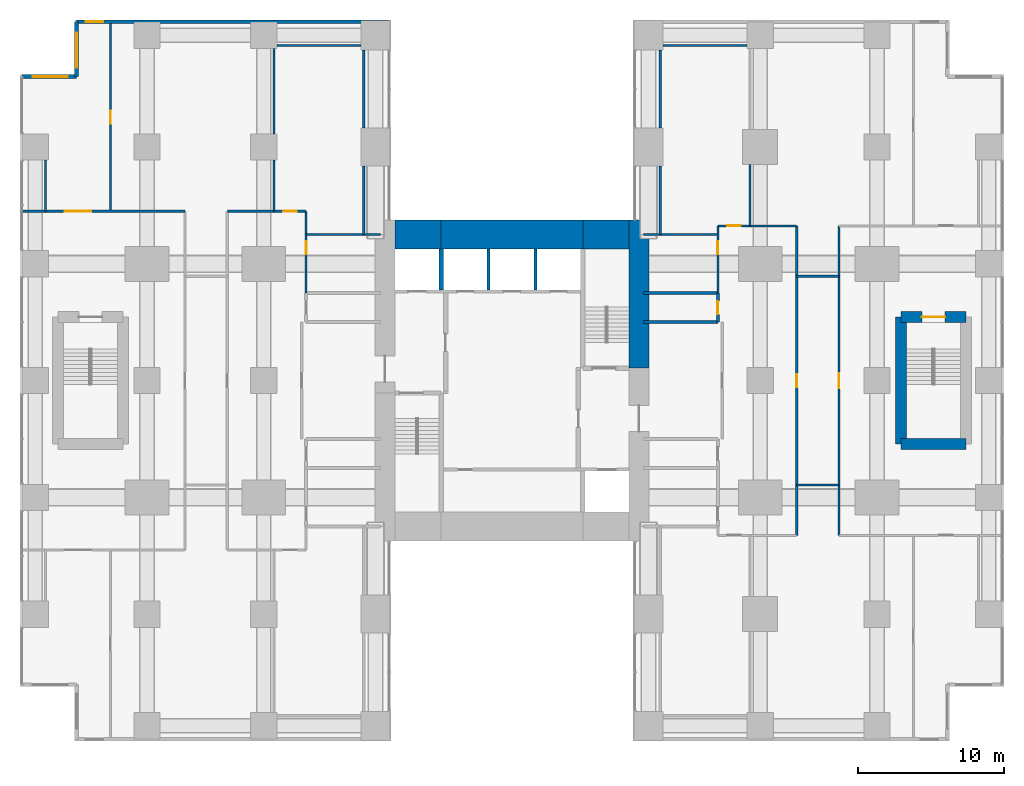
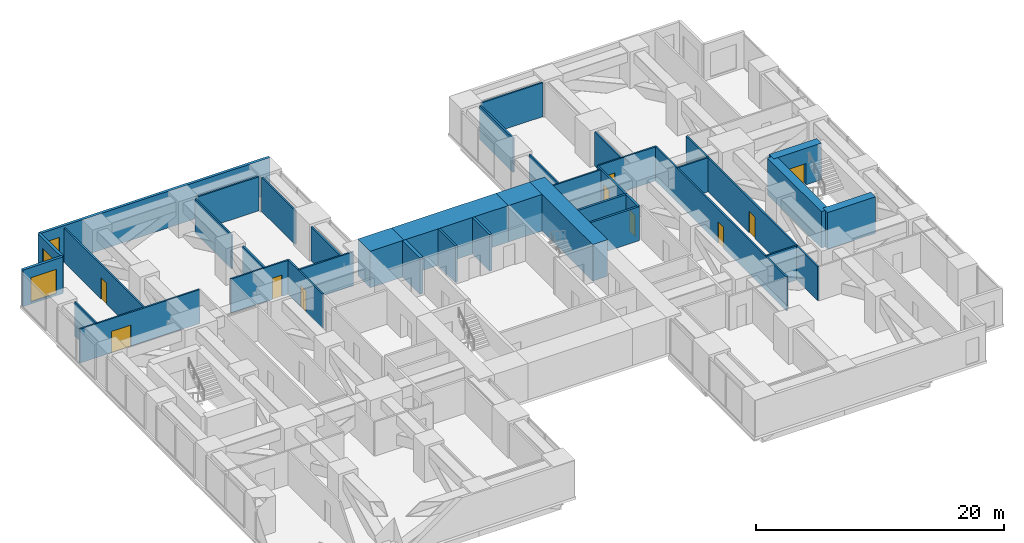
# One storey, part 12 of 14: 38 walls, 10 doors, 3 windows, 13 openings.
"""IFC4 building model written with IfcOpenShell, lengths in metres."""

from ifc_helpers import new_model, si_unit, direction, frame, frame_2d, origin, place, context, subcontext, project, spatial, rectangle, extrude, material, layer, layer_set, type_object, element, fill, save


model = new_model("IFC4")

# Units and contexts
model_context = context("Model", 3, precision=1e-05, world=origin(), true_north=direction((0.0, 1.0)))
body_context = subcontext(model_context, "Body", "Model", "MODEL_VIEW")
ifc_project = project(units=[si_unit("LENGTHUNIT", "METRE"), si_unit("AREAUNIT", "SQUARE_METRE"), si_unit("VOLUMEUNIT", "CUBIC_METRE"), si_unit("PLANEANGLEUNIT", "RADIAN"), si_unit("MASSUNIT", "GRAM", prefix="KILO")], contexts=[model_context])

# Site, building, storey
site_placement = place(None, origin())
site = spatial("IfcSite", under=ifc_project, at=site_placement, CompositionType="ELEMENT")
building_placement = place(site_placement, origin())
building = spatial("IfcBuilding", under=site, at=building_placement, Name="Cleftline Residences", CompositionType="ELEMENT")
storey_placement = place(building_placement, frame((0.0, 0.0, 200.199951171875)))
storey = spatial("IfcBuildingStorey", under=building, at=storey_placement, Name="L52", CompositionType="ELEMENT", Elevation=200.199951171875)

# Walls
ifc_material_1 = material(Name="Concrete B70", Category="concrete")
ifc_layer_1 = layer(ifc_material_1, 1.39990234375)
ifc_layer_set_1 = layer_set([ifc_layer_1], Name="CORE WALL 1400")
wall_type_1 = type_object("IfcWallType", Name="CORE WALL 1400", PredefinedType="SHEAR", material=ifc_layer_set_1)
wall_1_placement = place(storey_placement, frame((41.699951171875, 24.85009765625, 0.0), z_axis=(0.0, 0.0, 1.0), x_axis=(0.0, 1.0, 0.0)))
element("IfcWall", 1, at=wall_1_placement, inside=storey, type_object=wall_type_1, Name="Core wall E1", PredefinedType="SHEAR", context=body_context, shape_type="SweptSolid", body=[
    extrude(rectangle(XDim=10.14990234375, YDim=1.39990234375, at=frame_2d((5.074951171875, 0.0))), origin(), (0.0, 0.0, 1.0), 3.60009765625),
])
ifc_material_2 = material(Name="Concrete B70", Category="concrete")
ifc_layer_2 = layer(ifc_material_2, 2.0)
ifc_layer_set_2 = layer_set([ifc_layer_2], Name="CORE WALL 2000")
wall_type_2 = type_object("IfcWallType", Name="CORE WALL 2000", PredefinedType="SHEAR", material=ifc_layer_set_2)
wall_2_placement = place(storey_placement, frame((25.0, 34.0, 0.0), z_axis=(0.0, 0.0, 1.0), x_axis=(1.0, 0.0, 0.0)))
element("IfcWall", 2, at=wall_2_placement, inside=storey, type_object=wall_type_2, Name="Core wall N1", PredefinedType="SHEAR", context=body_context, shape_type="SweptSolid", body=[
    extrude(rectangle(XDim=3.14990234375, YDim=2.0, at=frame_2d((1.574951171875, 0.0))), origin(), (0.0, 0.0, 1.0), 3.60009765625),
])
wall_3_placement = place(storey_placement, frame((28.14990234375, 34.0, 0.0), z_axis=(0.0, 0.0, 1.0), x_axis=(1.0, 0.0, 0.0)))
element("IfcWall", 3, at=wall_3_placement, inside=storey, type_object=wall_type_2, Name="Core wall N2", PredefinedType="SHEAR", context=body_context, shape_type="SweptSolid", body=[
    extrude(rectangle(XDim=9.7001953125, YDim=2.0, at=frame_2d((4.85009765625, 0.0))), origin(), (0.0, 0.0, 1.0), 3.60009765625),
])
wall_4_placement = place(storey_placement, frame((37.85009765625, 34.0, 0.0), z_axis=(0.0, 0.0, 1.0), x_axis=(1.0, 0.0, 0.0)))
element("IfcWall", 4, at=wall_4_placement, inside=storey, type_object=wall_type_2, Name="Core wall N3", PredefinedType="SHEAR", context=body_context, shape_type="SweptSolid", body=[
    extrude(rectangle(XDim=3.14990234375, YDim=2.0, at=frame_2d((1.574951171875, 0.0))), origin(), (0.0, 0.0, 1.0), 3.60009765625),
])
ifc_material_3 = material(Name="Concrete B70", Category="concrete")
ifc_layer_3 = layer(ifc_material_3, 0.300048828125)
ifc_layer_set_3 = layer_set([ifc_layer_3], Name="CORE WALL 300")
wall_type_3 = type_object("IfcWallType", Name="CORE WALL 300", PredefinedType="SHEAR", material=ifc_layer_set_3)
wall_5_placement = place(storey_placement, frame((28.14990234375, 30.199951171875, 0.0), z_axis=(0.0, 0.0, 1.0), x_axis=(0.0, 1.0, 0.0)))
element("IfcWall", 5, at=wall_5_placement, inside=storey, type_object=wall_type_3, Name="Lift shaft wall", PredefinedType="SHEAR", context=body_context, shape_type="SweptSolid", body=[
    extrude(rectangle(XDim=2.800048828125, YDim=0.300048828125, at=frame_2d((1.39990234375, 0.0))), origin(), (0.0, 0.0, 1.0), 3.60009765625),
])

# Wall, opening, window
ifc_material_4 = material(Name="Rendered reinforced concrete blockwork", Category="masonry")
ifc_layer_4 = layer(ifc_material_4, 0.25)
ifc_layer_set_4 = layer_set([ifc_layer_4], Name="EXTERNAL WALL 250")
wall_type_4 = type_object("IfcWallType", Name="EXTERNAL WALL 250", PredefinedType="SOLIDWALL", material=ifc_layer_set_4)
wall_6_placement = place(storey_placement, frame((24.574951171875, 48.574951171875, 0.0), z_axis=(0.0, 0.0, 1.0), x_axis=(-1.0, 0.0, 0.0)))
wall_6 = element("IfcWall", 6, at=wall_6_placement, inside=storey, type_object=wall_type_4, Name="External wall", PredefinedType="SOLIDWALL", context=body_context, shape_type="SweptSolid", body=[
    extrude(rectangle(XDim=21.39990234375, YDim=0.25, at=frame_2d((10.699951171875, 0.0))), origin(), (0.0, 0.0, 1.0), 3.60009765625),
])
opening_1_placement = place(wall_6_placement, frame((19.574951171875, 0.0, 0.199951171875)))
opening_1 = element("IfcOpeningElement", 7, at=opening_1_placement, cuts=wall_6, Name="Opening W13", PredefinedType="OPENING", context=body_context, shape_type="SweptSolid", body=[
    extrude(rectangle(XDim=1.199951171875, YDim=2.39990234375, at=frame_2d((0.60009765625, 1.199951171875))), frame((0.0, 0.135009765625, 0.0), z_axis=(0.0, -1.0, 0.0), x_axis=(1.0, 0.0, 0.0)), (0.0, 0.0, 1.0), 0.27001953125),
])
ifc_material_5 = material(Name="Aluminium frame, clear double glazing", Category="aluminium")
window_type_1 = type_object("IfcWindowType", Name="WINDOW 1200X2400", PartitioningType="DOUBLE_PANEL_VERTICAL", PredefinedType="WINDOW", material=ifc_material_5)
window_1_placement = place(opening_1_placement, origin())
window_1 = element("IfcWindow", 8, at=window_1_placement, inside=storey, type_object=window_type_1, Name="Window", OverallHeight=2.39990234375, OverallWidth=1.199951171875, PartitioningType="SINGLE_PANEL", PredefinedType="WINDOW", context=body_context, shape_type="SweptSolid", body=[
    extrude(rectangle(XDim=1.199951171875, YDim=2.39990234375, at=frame_2d((0.60009765625, 1.199951171875))), frame((0.0, 0.030029296875, 0.0), z_axis=(0.0, -1.0, 0.0), x_axis=(1.0, 0.0, 0.0)), (0.0, 0.0, 1.0), 0.06005859375),
])
fill(opening_1, window_1)

wall_7_placement = place(storey_placement, frame((3.175048828125, 48.574951171875, 0.0), z_axis=(0.0, 0.0, 1.0), x_axis=(0.0, -1.0, 0.0)))
wall_7 = element("IfcWall", 9, at=wall_7_placement, inside=storey, type_object=wall_type_4, Name="External wall", PredefinedType="SOLIDWALL", context=body_context, shape_type="SweptSolid", body=[
    extrude(rectangle(XDim=3.75, YDim=0.25, at=frame_2d((1.875, 0.0))), origin(), (0.0, 0.0, 1.0), 3.60009765625),
])
opening_2_placement = place(wall_7_placement, frame((0.737548828125, 0.0, 0.199951171875)))
opening_2 = element("IfcOpeningElement", 10, at=opening_2_placement, cuts=wall_7, Name="Opening W9", PredefinedType="OPENING", context=body_context, shape_type="SweptSolid", body=[
    extrude(rectangle(XDim=2.39990234375, YDim=2.39990234375, at=frame_2d((1.199951171875, 1.199951171875))), frame((0.0, 0.135009765625, 0.0), z_axis=(0.0, -1.0, 0.0), x_axis=(1.0, 0.0, 0.0)), (0.0, 0.0, 1.0), 0.27001953125),
])
ifc_material_6 = material(Name="Aluminium frame, clear double glazing", Category="aluminium")
window_type_2 = type_object("IfcWindowType", Name="WINDOW 2400X2400", PartitioningType="DOUBLE_PANEL_VERTICAL", PredefinedType="WINDOW", material=ifc_material_6)
window_2_placement = place(opening_2_placement, origin())
window_2 = element("IfcWindow", 11, at=window_2_placement, inside=storey, type_object=window_type_2, Name="Window", OverallHeight=2.39990234375, OverallWidth=2.39990234375, PartitioningType="SINGLE_PANEL", PredefinedType="WINDOW", context=body_context, shape_type="SweptSolid", body=[
    extrude(rectangle(XDim=2.39990234375, YDim=2.39990234375, at=frame_2d((1.199951171875, 1.199951171875))), frame((0.0, 0.030029296875, 0.0), z_axis=(0.0, -1.0, 0.0), x_axis=(1.0, 0.0, 0.0)), (0.0, 0.0, 1.0), 0.06005859375),
])
fill(opening_2, window_2)

wall_8_placement = place(storey_placement, frame((3.175048828125, 44.824951171875, 0.0), z_axis=(0.0, 0.0, 1.0), x_axis=(-1.0, 0.0, 0.0)))
wall_8 = element("IfcWall", 12, at=wall_8_placement, inside=storey, type_object=wall_type_4, Name="External wall", PredefinedType="SOLIDWALL", context=body_context, shape_type="SweptSolid", body=[
    extrude(rectangle(XDim=3.75, YDim=0.25, at=frame_2d((1.875, 0.0))), origin(), (0.0, 0.0, 1.0), 3.60009765625),
])
opening_3_placement = place(wall_8_placement, frame((0.612548828125, 0.0, 0.199951171875)))
opening_3 = element("IfcOpeningElement", 13, at=opening_3_placement, cuts=wall_8, Name="Opening W9", PredefinedType="OPENING", context=body_context, shape_type="SweptSolid", body=[
    extrude(rectangle(XDim=2.39990234375, YDim=2.39990234375, at=frame_2d((1.199951171875, 1.199951171875))), frame((0.0, 0.135009765625, 0.0), z_axis=(0.0, -1.0, 0.0), x_axis=(1.0, 0.0, 0.0)), (0.0, 0.0, 1.0), 0.27001953125),
])
window_3_placement = place(opening_3_placement, origin())
window_3 = element("IfcWindow", 14, at=window_3_placement, inside=storey, type_object=window_type_2, Name="Window", OverallHeight=2.39990234375, OverallWidth=2.39990234375, PartitioningType="SINGLE_PANEL", PredefinedType="WINDOW", context=body_context, shape_type="SweptSolid", body=[
    extrude(rectangle(XDim=2.39990234375, YDim=2.39990234375, at=frame_2d((1.199951171875, 1.199951171875))), frame((0.0, 0.030029296875, 0.0), z_axis=(0.0, -1.0, 0.0), x_axis=(1.0, 0.0, 0.0)), (0.0, 0.0, 1.0), 0.06005859375),
])
fill(opening_3, window_3)

# Walls
ifc_material_7 = material(Name="Concrete blockwork, fire rated", Category="masonry")
ifc_layer_5 = layer(ifc_material_7, 0.199951171875)
ifc_layer_set_5 = layer_set([ifc_layer_5], Name="FIRE WALL 200")
wall_type_5 = type_object("IfcWallType", Name="FIRE WALL 200", PredefinedType="PARTITIONING", material=ifc_layer_set_5)
for number, where, z_axis, x_axis, name in (
    (15, (42.0, 28.0, 0.0), (0.0, 0.0, 1.0), (1.0, 0.0, 0.0), "Fire separating wall"),
    (16, (42.0, 30.0, 0.0), (0.0, 0.0, 1.0), (1.0, 0.0, 0.0), "Fire separating wall"),
):
    element("IfcWall", number, at=place(storey_placement, frame(where, z_axis=z_axis, x_axis=x_axis)), inside=storey, type_object=wall_type_5, Name=name, PredefinedType="PARTITIONING", context=body_context, shape_type="SweptSolid", body=[
        extrude(rectangle(XDim=5.10009765625, YDim=0.199951171875, at=frame_2d((2.550048828125, 0.0))), origin(), (0.0, 0.0, 1.0), 3.35009765625),
    ])

# Wall, opening, door
wall_9_placement = place(storey_placement, frame((47.10009765625, 28.0, 0.0), z_axis=(0.0, 0.0, 1.0), x_axis=(0.0, 1.0, 0.0)))
wall_9 = element("IfcWall", 17, at=wall_9_placement, inside=storey, type_object=wall_type_5, Name="Fire separating wall", PredefinedType="PARTITIONING", context=body_context, shape_type="SweptSolid", body=[
    extrude(rectangle(XDim=2.0, YDim=0.199951171875, at=frame_2d((1.0, 0.0))), origin(), (0.0, 0.0, 1.0), 3.35009765625),
])
opening_4_placement = place(wall_9_placement, frame((0.5400390625, 0.0, 0.0)))
opening_4 = element("IfcOpeningElement", 18, at=opening_4_placement, cuts=wall_9, Name="Opening D1F30", PredefinedType="OPENING", context=body_context, shape_type="SweptSolid", body=[
    extrude(rectangle(XDim=0.89990234375, YDim=2.10009765625, at=frame_2d((0.449951171875, 1.050048828125))), frame((0.0, 0.10986328125, 0.0), z_axis=(0.0, -1.0, 0.0), x_axis=(1.0, 0.0, 0.0)), (0.0, 0.0, 1.0), 0.219970703125),
])
ifc_material_8 = material(Name="Timber veneer on solid core", Category="wood")
door_type_1 = type_object("IfcDoorType", Name="DOOR 900X2100 EI 30", OperationType="SINGLE_SWING_LEFT", PredefinedType="DOOR", material=ifc_material_8)
door_1_placement = place(opening_4_placement, origin())
door_1 = element("IfcDoor", 19, at=door_1_placement, inside=storey, type_object=door_type_1, Name="Door to accessible wc", OperationType="SINGLE_SWING_RIGHT", OverallHeight=2.10009765625, OverallWidth=0.89990234375, PredefinedType="DOOR", context=body_context, shape_type="SweptSolid", body=[
    extrude(rectangle(XDim=0.89990234375, YDim=2.10009765625, at=frame_2d((0.449951171875, 1.050048828125))), frame((0.0, 0.02490234375, 0.0), z_axis=(0.0, -1.0, 0.0), x_axis=(1.0, 0.0, 0.0)), (0.0, 0.0, 1.0), 0.050048828125),
])
fill(opening_4, door_1)

# Walls
ifc_material_9 = material(Name="Gypsum board on steel studs", Category="steel")
ifc_layer_6 = layer(ifc_material_9, 0.14990234375)
ifc_layer_set_6 = layer_set([ifc_layer_6], Name="PARTITION 150")
wall_type_6 = type_object("IfcWallType", Name="PARTITION 150", PredefinedType="PARTITIONING", material=ifc_layer_set_6)
for number, where, z_axis, x_axis, name in (
    (20, (52.5, 16.85009765625, 0.0), (0.0, 0.0, 1.0), (1.0, 0.0, 0.0), "Partition"),
    (21, (52.5, 31.14990234375, 0.0), (0.0, 0.0, 1.0), (1.0, 0.0, 0.0), "Partition"),
):
    element("IfcWall", number, at=place(storey_placement, frame(where, z_axis=z_axis, x_axis=x_axis)), inside=storey, type_object=wall_type_6, Name=name, PredefinedType="PARTITIONING", context=body_context, shape_type="SweptSolid", body=[
        extrude(rectangle(XDim=2.89990234375, YDim=0.14990234375, at=frame_2d((1.449951171875, 0.0))), origin(), (0.0, 0.0, 1.0), 3.35009765625),
    ])
for number, where, z_axis, x_axis, name in (
    (22, (18.89990234375, 34.0, 0.0), (0.0, 0.0, 1.0), (1.0, 0.0, 0.0), "Partition"),
    (23, (42.0, 34.0, 0.0), (0.0, 0.0, 1.0), (1.0, 0.0, 0.0), "Partition"),
):
    element("IfcWall", number, at=place(storey_placement, frame(where, z_axis=z_axis, x_axis=x_axis)), inside=storey, type_object=wall_type_6, Name=name, PredefinedType="PARTITIONING", context=body_context, shape_type="SweptSolid", body=[
        extrude(rectangle(XDim=5.10009765625, YDim=0.14990234375, at=frame_2d((2.550048828125, 0.0))), origin(), (0.0, 0.0, 1.0), 3.35009765625),
    ])

# Wall, opening, door
wall_10_placement = place(storey_placement, frame((47.10009765625, 34.60009765625, 0.0), z_axis=(0.0, 0.0, 1.0), x_axis=(1.0, 0.0, 0.0)))
wall_10 = element("IfcWall", 24, at=wall_10_placement, inside=storey, type_object=wall_type_6, Name="Partition", PredefinedType="PARTITIONING", context=body_context, shape_type="SweptSolid", body=[
    extrude(rectangle(XDim=5.39990234375, YDim=0.14990234375, at=frame_2d((2.699951171875, 0.0))), origin(), (0.0, 0.0, 1.0), 3.35009765625),
])
opening_5_placement = place(wall_10_placement, frame((0.659912109375, 0.0, 0.0)))
opening_5 = element("IfcOpeningElement", 25, at=opening_5_placement, cuts=wall_10, Name="Opening D1", PredefinedType="OPENING", context=body_context, shape_type="SweptSolid", body=[
    extrude(rectangle(XDim=0.89990234375, YDim=2.10009765625, at=frame_2d((0.449951171875, 1.050048828125))), frame((0.0, 0.0849609375, 0.0), z_axis=(0.0, -1.0, 0.0), x_axis=(1.0, 0.0, 0.0)), (0.0, 0.0, 1.0), 0.169921875),
])
ifc_material_10 = material(Name="Timber veneer on solid core", Category="wood")
door_type_2 = type_object("IfcDoorType", Name="DOOR 900X2100", OperationType="SINGLE_SWING_LEFT", PredefinedType="DOOR", material=ifc_material_10)
door_2_placement = place(opening_5_placement, origin())
door_2 = element("IfcDoor", 26, at=door_2_placement, inside=storey, type_object=door_type_2, Name="Door to rehearsal room", OperationType="SINGLE_SWING_RIGHT", OverallHeight=2.10009765625, OverallWidth=0.89990234375, PredefinedType="DOOR", context=body_context, shape_type="SweptSolid", body=[
    extrude(rectangle(XDim=0.89990234375, YDim=2.10009765625, at=frame_2d((0.449951171875, 1.050048828125))), frame((0.0, 0.02490234375, 0.0), z_axis=(0.0, -1.0, 0.0), x_axis=(1.0, 0.0, 0.0)), (0.0, 0.0, 1.0), 0.050048828125),
])
fill(opening_5, door_2)

wall_11_placement = place(storey_placement, frame((-0.56103515625, 35.60009765625, 0.0), z_axis=(0.0, 0.0, 1.0), x_axis=(1.0, 0.0, 0.0)))
wall_11 = element("IfcWall", 27, at=wall_11_placement, inside=storey, type_object=wall_type_6, Name="Partition", PredefinedType="PARTITIONING", context=body_context, shape_type="SweptSolid", body=[
    extrude(rectangle(XDim=11.1611328125, YDim=0.14990234375, at=frame_2d((5.58056640625, 0.0))), origin(), (0.0, 0.0, 1.0), 3.35009765625),
])
opening_6_placement = place(wall_11_placement, frame((2.930908203125, 0.0, 0.0)))
opening_6 = element("IfcOpeningElement", 28, at=opening_6_placement, cuts=wall_11, Name="Opening D3", PredefinedType="OPENING", context=body_context, shape_type="SweptSolid", body=[
    extrude(rectangle(XDim=1.800048828125, YDim=2.10009765625, at=frame_2d((0.89990234375, 1.050048828125))), frame((0.0, 0.0849609375, 0.0), z_axis=(0.0, -1.0, 0.0), x_axis=(1.0, 0.0, 0.0)), (0.0, 0.0, 1.0), 0.169921875),
])
ifc_material_11 = material(Name="Timber veneer on solid core", Category="wood")
door_type_3 = type_object("IfcDoorType", Name="DOUBLE DOOR 1800X2100", OperationType="DOUBLE_DOOR_DOUBLE_SWING", PredefinedType="DOOR", material=ifc_material_11)
door_3_placement = place(opening_6_placement, origin())
door_3 = element("IfcDoor", 29, at=door_3_placement, inside=storey, type_object=door_type_3, Name="Door to sky fitness studio", OperationType="DOUBLE_DOOR_DOUBLE_SWING", OverallHeight=2.10009765625, OverallWidth=1.800048828125, PredefinedType="DOOR", context=body_context, shape_type="SweptSolid", body=[
    extrude(rectangle(XDim=1.800048828125, YDim=2.10009765625, at=frame_2d((0.89990234375, 1.050048828125))), frame((0.0, 0.02490234375, 0.0), z_axis=(0.0, -1.0, 0.0), x_axis=(1.0, 0.0, 0.0)), (0.0, 0.0, 1.0), 0.050048828125),
])
fill(opening_6, door_3)

wall_12_placement = place(storey_placement, frame((13.5, 35.60009765625, 0.0), z_axis=(0.0, 0.0, 1.0), x_axis=(1.0, 0.0, 0.0)))
wall_12 = element("IfcWall", 30, at=wall_12_placement, inside=storey, type_object=wall_type_6, Name="Partition", PredefinedType="PARTITIONING", context=body_context, shape_type="SweptSolid", body=[
    extrude(rectangle(XDim=5.39990234375, YDim=0.14990234375, at=frame_2d((2.699951171875, 0.0))), origin(), (0.0, 0.0, 1.0), 3.35009765625),
])
opening_7_placement = place(wall_12_placement, frame((3.840087890625, 0.0, 0.0)))
opening_7 = element("IfcOpeningElement", 31, at=opening_7_placement, cuts=wall_12, Name="Opening D1", PredefinedType="OPENING", context=body_context, shape_type="SweptSolid", body=[
    extrude(rectangle(XDim=0.89990234375, YDim=2.10009765625, at=frame_2d((0.449951171875, 1.050048828125))), frame((0.0, 0.0849609375, 0.0), z_axis=(0.0, -1.0, 0.0), x_axis=(1.0, 0.0, 0.0)), (0.0, 0.0, 1.0), 0.169921875),
])
door_4_placement = place(opening_7_placement, origin())
door_4 = element("IfcDoor", 32, at=door_4_placement, inside=storey, type_object=door_type_2, Name="Door to massage room", OperationType="SINGLE_SWING_LEFT", OverallHeight=2.10009765625, OverallWidth=0.89990234375, PredefinedType="DOOR", context=body_context, shape_type="SweptSolid", body=[
    extrude(rectangle(XDim=0.89990234375, YDim=2.10009765625, at=frame_2d((0.449951171875, 1.050048828125))), frame((0.0, 0.02490234375, 0.0), z_axis=(0.0, -1.0, 0.0), x_axis=(1.0, 0.0, 0.0)), (0.0, 0.0, 1.0), 0.050048828125),
])
fill(opening_7, door_4)

# Walls
for number, where, z_axis, x_axis, name in (
    (33, (16.89990234375, 46.949951171875, 0.0), (0.0, 0.0, 1.0), (1.0, 0.0, 0.0), "Partition"),
    (34, (43.35009765625, 46.949951171875, 0.0), (0.0, 0.0, 1.0), (1.0, 0.0, 0.0), "Partition"),
):
    element("IfcWall", number, at=place(storey_placement, frame(where, z_axis=z_axis, x_axis=x_axis)), inside=storey, type_object=wall_type_6, Name=name, PredefinedType="PARTITIONING", context=body_context, shape_type="SweptSolid", body=[
        extrude(rectangle(XDim=5.75, YDim=0.14990234375, at=frame_2d((2.875, 0.0))), origin(), (0.0, 0.0, 1.0), 3.35009765625),
    ])
wall_13_placement = place(storey_placement, frame((1.050048828125, 35.60009765625, 0.0), z_axis=(0.0, 0.0, 1.0), x_axis=(0.0, 1.0, 0.0)))
element("IfcWall", 35, at=wall_13_placement, inside=storey, type_object=wall_type_6, Name="Partition", PredefinedType="PARTITIONING", context=body_context, shape_type="SweptSolid", body=[
    extrude(rectangle(XDim=3.5, YDim=0.14990234375, at=frame_2d((1.75, 0.0))), origin(), (0.0, 0.0, 1.0), 3.35009765625),
])

# Wall, opening, door
wall_14_placement = place(storey_placement, frame((5.5, 35.60009765625, 0.0), z_axis=(0.0, 0.0, 1.0), x_axis=(0.0, 1.0, 0.0)))
wall_14 = element("IfcWall", 36, at=wall_14_placement, inside=storey, type_object=wall_type_6, Name="Partition", PredefinedType="PARTITIONING", context=body_context, shape_type="SweptSolid", body=[
    extrude(rectangle(XDim=12.849853515625, YDim=0.14990234375, at=frame_2d((6.4248046875, 0.0))), origin(), (0.0, 0.0, 1.0), 3.35009765625),
])
opening_8_placement = place(wall_14_placement, frame((5.97998046875, 0.0, 0.0)))
opening_8 = element("IfcOpeningElement", 37, at=opening_8_placement, cuts=wall_14, Name="Opening D1", PredefinedType="OPENING", context=body_context, shape_type="SweptSolid", body=[
    extrude(rectangle(XDim=0.89990234375, YDim=2.10009765625, at=frame_2d((0.449951171875, 1.050048828125))), frame((0.0, 0.0849609375, 0.0), z_axis=(0.0, -1.0, 0.0), x_axis=(1.0, 0.0, 0.0)), (0.0, 0.0, 1.0), 0.169921875),
])
door_5_placement = place(opening_8_placement, origin())
door_5 = element("IfcDoor", 38, at=door_5_placement, inside=storey, type_object=door_type_2, Name="Door to changing room", OperationType="SINGLE_SWING_LEFT", OverallHeight=2.10009765625, OverallWidth=0.89990234375, PredefinedType="DOOR", context=body_context, shape_type="SweptSolid", body=[
    extrude(rectangle(XDim=0.89990234375, YDim=2.10009765625, at=frame_2d((0.449951171875, 1.050048828125))), frame((0.0, 0.02490234375, 0.0), z_axis=(0.0, -1.0, 0.0), x_axis=(1.0, 0.0, 0.0)), (0.0, 0.0, 1.0), 0.050048828125),
])
fill(opening_8, door_5)

# Walls
wall_15_placement = place(storey_placement, frame((16.699951171875, 35.60009765625, 0.0), z_axis=(0.0, 0.0, 1.0), x_axis=(0.0, 1.0, 0.0)))
element("IfcWall", 39, at=wall_15_placement, inside=storey, type_object=wall_type_6, Name="Partition", PredefinedType="PARTITIONING", context=body_context, shape_type="SweptSolid", body=[
    extrude(rectangle(XDim=3.5, YDim=0.14990234375, at=frame_2d((1.75, 0.0))), origin(), (0.0, 0.0, 1.0), 3.35009765625),
])
wall_16_placement = place(storey_placement, frame((16.699951171875, 40.89990234375, 0.0), z_axis=(0.0, 0.0, 1.0), x_axis=(0.0, 1.0, 0.0)))
element("IfcWall", 40, at=wall_16_placement, inside=storey, type_object=wall_type_6, Name="Partition", PredefinedType="PARTITIONING", context=body_context, shape_type="SweptSolid", body=[
    extrude(rectangle(XDim=5.85009765625, YDim=0.14990234375, at=frame_2d((2.925048828125, 0.0))), origin(), (0.0, 0.0, 1.0), 3.35009765625),
])

# Wall, opening, door
wall_17_placement = place(storey_placement, frame((18.89990234375, 30.0, 0.0), z_axis=(0.0, 0.0, 1.0), x_axis=(0.0, 1.0, 0.0)))
wall_17 = element("IfcWall", 41, at=wall_17_placement, inside=storey, type_object=wall_type_6, Name="Partition", PredefinedType="PARTITIONING", context=body_context, shape_type="SweptSolid", body=[
    extrude(rectangle(XDim=5.60009765625, YDim=0.14990234375, at=frame_2d((2.800048828125, 0.0))), origin(), (0.0, 0.0, 1.0), 3.35009765625),
])
opening_9_placement = place(wall_17_placement, frame((2.639892578125, 0.0, 0.0)))
opening_9 = element("IfcOpeningElement", 42, at=opening_9_placement, cuts=wall_17, Name="Opening D1", PredefinedType="OPENING", context=body_context, shape_type="SweptSolid", body=[
    extrude(rectangle(XDim=0.89990234375, YDim=2.10009765625, at=frame_2d((0.449951171875, 1.050048828125))), frame((0.0, 0.0849609375, 0.0), z_axis=(0.0, -1.0, 0.0), x_axis=(1.0, 0.0, 0.0)), (0.0, 0.0, 1.0), 0.169921875),
])
door_6_placement = place(opening_9_placement, origin())
door_6 = element("IfcDoor", 43, at=door_6_placement, inside=storey, type_object=door_type_2, Name="Door to cleaner's store", OperationType="SINGLE_SWING_LEFT", OverallHeight=2.10009765625, OverallWidth=0.89990234375, PredefinedType="DOOR", context=body_context, shape_type="SweptSolid", body=[
    extrude(rectangle(XDim=0.89990234375, YDim=2.10009765625, at=frame_2d((0.449951171875, 1.050048828125))), frame((0.0, 0.02490234375, 0.0), z_axis=(0.0, -1.0, 0.0), x_axis=(1.0, 0.0, 0.0)), (0.0, 0.0, 1.0), 0.050048828125),
])
fill(opening_9, door_6)

# Walls
wall_18_placement = place(storey_placement, frame((22.85009765625, 34.0, 0.0), z_axis=(0.0, 0.0, 1.0), x_axis=(0.0, 1.0, 0.0)))
element("IfcWall", 44, at=wall_18_placement, inside=storey, type_object=wall_type_6, Name="Partition", PredefinedType="PARTITIONING", context=body_context, shape_type="SweptSolid", body=[
    extrude(rectangle(XDim=4.699951171875, YDim=0.14990234375, at=frame_2d((2.35009765625, 0.0))), origin(), (0.0, 0.0, 1.0), 3.35009765625),
])
wall_19_placement = place(storey_placement, frame((22.85009765625, 41.300048828125, 0.0), z_axis=(0.0, 0.0, 1.0), x_axis=(0.0, 1.0, 0.0)))
element("IfcWall", 45, at=wall_19_placement, inside=storey, type_object=wall_type_6, Name="Partition", PredefinedType="PARTITIONING", context=body_context, shape_type="SweptSolid", body=[
    extrude(rectangle(XDim=5.349853515625, YDim=0.14990234375, at=frame_2d((2.6748046875, 0.0))), origin(), (0.0, 0.0, 1.0), 3.35009765625),
])
wall_20_placement = place(storey_placement, frame((43.14990234375, 34.0, 0.0), z_axis=(0.0, 0.0, 1.0), x_axis=(0.0, 1.0, 0.0)))
element("IfcWall", 46, at=wall_20_placement, inside=storey, type_object=wall_type_6, Name="Partition", PredefinedType="PARTITIONING", context=body_context, shape_type="SweptSolid", body=[
    extrude(rectangle(XDim=4.699951171875, YDim=0.14990234375, at=frame_2d((2.35009765625, 0.0))), origin(), (0.0, 0.0, 1.0), 3.35009765625),
])
wall_21_placement = place(storey_placement, frame((43.14990234375, 41.300048828125, 0.0), z_axis=(0.0, 0.0, 1.0), x_axis=(0.0, 1.0, 0.0)))
element("IfcWall", 47, at=wall_21_placement, inside=storey, type_object=wall_type_6, Name="Partition", PredefinedType="PARTITIONING", context=body_context, shape_type="SweptSolid", body=[
    extrude(rectangle(XDim=5.349853515625, YDim=0.14990234375, at=frame_2d((2.6748046875, 0.0))), origin(), (0.0, 0.0, 1.0), 3.35009765625),
])

# Wall, opening, door
wall_22_placement = place(storey_placement, frame((47.10009765625, 30.0, 0.0), z_axis=(0.0, 0.0, 1.0), x_axis=(0.0, 1.0, 0.0)))
wall_22 = element("IfcWall", 48, at=wall_22_placement, inside=storey, type_object=wall_type_6, Name="Partition", PredefinedType="PARTITIONING", context=body_context, shape_type="SweptSolid", body=[
    extrude(rectangle(XDim=4.60009765625, YDim=0.14990234375, at=frame_2d((2.300048828125, 0.0))), origin(), (0.0, 0.0, 1.0), 3.35009765625),
])
opening_10_placement = place(wall_22_placement, frame((2.639892578125, 0.0, 0.0)))
opening_10 = element("IfcOpeningElement", 49, at=opening_10_placement, cuts=wall_22, Name="Opening D1", PredefinedType="OPENING", context=body_context, shape_type="SweptSolid", body=[
    extrude(rectangle(XDim=0.89990234375, YDim=2.10009765625, at=frame_2d((0.449951171875, 1.050048828125))), frame((0.0, 0.0849609375, 0.0), z_axis=(0.0, -1.0, 0.0), x_axis=(1.0, 0.0, 0.0)), (0.0, 0.0, 1.0), 0.169921875),
])
door_7_placement = place(opening_10_placement, origin())
door_7 = element("IfcDoor", 50, at=door_7_placement, inside=storey, type_object=door_type_2, Name="Door to cleaner's store", OperationType="SINGLE_SWING_LEFT", OverallHeight=2.10009765625, OverallWidth=0.89990234375, PredefinedType="DOOR", context=body_context, shape_type="SweptSolid", body=[
    extrude(rectangle(XDim=0.89990234375, YDim=2.10009765625, at=frame_2d((0.449951171875, 1.050048828125))), frame((0.0, 0.02490234375, 0.0), z_axis=(0.0, -1.0, 0.0), x_axis=(1.0, 0.0, 0.0)), (0.0, 0.0, 1.0), 0.050048828125),
])
fill(opening_10, door_7)

# Wall
wall_23_placement = place(storey_placement, frame((49.300048828125, 34.60009765625, 0.0), z_axis=(0.0, 0.0, 1.0), x_axis=(0.0, 1.0, 0.0)))
element("IfcWall", 51, at=wall_23_placement, inside=storey, type_object=wall_type_6, Name="Partition", PredefinedType="PARTITIONING", context=body_context, shape_type="SweptSolid", body=[
    extrude(rectangle(XDim=4.199951171875, YDim=0.14990234375, at=frame_2d((2.10009765625, 0.0))), origin(), (0.0, 0.0, 1.0), 3.35009765625),
])

# Wall, opening, door
wall_24_placement = place(storey_placement, frame((52.5, 13.39990234375, 0.0), z_axis=(0.0, 0.0, 1.0), x_axis=(0.0, 1.0, 0.0)))
wall_24 = element("IfcWall", 52, at=wall_24_placement, inside=storey, type_object=wall_type_6, Name="Partition", PredefinedType="PARTITIONING", context=body_context, shape_type="SweptSolid", body=[
    extrude(rectangle(XDim=21.2001953125, YDim=0.14990234375, at=frame_2d((10.60009765625, 0.0))), origin(), (0.0, 0.0, 1.0), 3.35009765625),
])
opening_11_placement = place(wall_24_placement, frame((10.14990234375, 0.0, 0.0)))
opening_11 = element("IfcOpeningElement", 53, at=opening_11_placement, cuts=wall_24, Name="Opening D1", PredefinedType="OPENING", context=body_context, shape_type="SweptSolid", body=[
    extrude(rectangle(XDim=0.89990234375, YDim=2.10009765625, at=frame_2d((0.449951171875, 1.050048828125))), frame((0.0, 0.0849609375, 0.0), z_axis=(0.0, -1.0, 0.0), x_axis=(1.0, 0.0, 0.0)), (0.0, 0.0, 1.0), 0.169921875),
])
door_8_placement = place(opening_11_placement, origin())
door_8 = element("IfcDoor", 54, at=door_8_placement, inside=storey, type_object=door_type_2, Name="Door to music lounge", OperationType="SINGLE_SWING_LEFT", OverallHeight=2.10009765625, OverallWidth=0.89990234375, PredefinedType="DOOR", context=body_context, shape_type="SweptSolid", body=[
    extrude(rectangle(XDim=0.89990234375, YDim=2.10009765625, at=frame_2d((0.449951171875, 1.050048828125))), frame((0.0, 0.02490234375, 0.0), z_axis=(0.0, -1.0, 0.0), x_axis=(1.0, 0.0, 0.0)), (0.0, 0.0, 1.0), 0.050048828125),
])
fill(opening_11, door_8)

wall_25_placement = place(storey_placement, frame((55.39990234375, 13.39990234375, 0.0), z_axis=(0.0, 0.0, 1.0), x_axis=(0.0, 1.0, 0.0)))
wall_25 = element("IfcWall", 55, at=wall_25_placement, inside=storey, type_object=wall_type_6, Name="Partition", PredefinedType="PARTITIONING", context=body_context, shape_type="SweptSolid", body=[
    extrude(rectangle(XDim=21.2001953125, YDim=0.14990234375, at=frame_2d((10.60009765625, 0.0))), origin(), (0.0, 0.0, 1.0), 3.35009765625),
])
opening_12_placement = place(wall_25_placement, frame((10.090087890625, 0.0, 0.0)))
opening_12 = element("IfcOpeningElement", 56, at=opening_12_placement, cuts=wall_25, Name="Opening D2F30", PredefinedType="OPENING", context=body_context, shape_type="SweptSolid", body=[
    extrude(rectangle(XDim=1.0, YDim=2.10009765625, at=frame_2d((0.5, 1.050048828125))), frame((0.0, 0.0849609375, 0.0), z_axis=(0.0, -1.0, 0.0), x_axis=(1.0, 0.0, 0.0)), (0.0, 0.0, 1.0), 0.169921875),
])
ifc_material_12 = material(Name="Timber veneer on solid core", Category="wood")
door_type_4 = type_object("IfcDoorType", Name="DOOR 1000X2100 EI 30", OperationType="SINGLE_SWING_LEFT", PredefinedType="DOOR", material=ifc_material_12)
door_9_placement = place(opening_12_placement, origin())
door_9 = element("IfcDoor", 57, at=door_9_placement, inside=storey, type_object=door_type_4, Name="Door to stair e lobby", OperationType="SINGLE_SWING_RIGHT", OverallHeight=2.10009765625, OverallWidth=1.0, PredefinedType="DOOR", context=body_context, shape_type="SweptSolid", body=[
    extrude(rectangle(XDim=1.0, YDim=2.10009765625, at=frame_2d((0.5, 1.050048828125))), frame((0.0, 0.02490234375, 0.0), z_axis=(0.0, -1.0, 0.0), x_axis=(1.0, 0.0, 0.0)), (0.0, 0.0, 1.0), 0.050048828125),
])
fill(opening_12, door_9)

# Walls
ifc_material_13 = material(Name="Concrete blockwork, fire rated", Category="masonry")
ifc_layer_7 = layer(ifc_material_13, 0.199951171875)
ifc_layer_set_7 = layer_set([ifc_layer_7], Name="SHAFT WALL 200")
wall_type_7 = type_object("IfcWallType", Name="SHAFT WALL 200", PredefinedType="PARTITIONING", material=ifc_layer_set_7)
for number, where, z_axis, x_axis, name in (
    (58, (31.39990234375, 30.199951171875, 0.0), (0.0, 0.0, 1.0), (0.0, 1.0, 0.0), "Lift shaft wall"),
    (59, (34.60009765625, 30.199951171875, 0.0), (0.0, 0.0, 1.0), (0.0, 1.0, 0.0), "Lift shaft wall"),
):
    element("IfcWall", number, at=place(storey_placement, frame(where, z_axis=z_axis, x_axis=x_axis)), inside=storey, type_object=wall_type_7, Name=name, PredefinedType="PARTITIONING", context=body_context, shape_type="SweptSolid", body=[
        extrude(rectangle(XDim=2.800048828125, YDim=0.199951171875, at=frame_2d((1.39990234375, 0.0))), origin(), (0.0, 0.0, 1.0), 3.60009765625),
    ])
ifc_material_14 = material(Name="Concrete B70", Category="concrete")
ifc_layer_8 = layer(ifc_material_14, 0.75)
ifc_layer_set_8 = layer_set([ifc_layer_8], Name="SHEAR WALL 750")
wall_type_8 = type_object("IfcWallType", Name="SHEAR WALL 750", PredefinedType="SHEAR", material=ifc_layer_set_8)
wall_26_placement = place(storey_placement, frame((59.64990234375, 19.64990234375, 0.0), z_axis=(0.0, 0.0, 1.0), x_axis=(1.0, 0.0, 0.0)))
element("IfcWall", 60, at=wall_26_placement, inside=storey, type_object=wall_type_8, Name="Wing shear wall", PredefinedType="SHEAR", context=body_context, shape_type="SweptSolid", body=[
    extrude(rectangle(XDim=4.4501953125, YDim=0.75, at=frame_2d((2.22509765625, 0.0))), origin(), (0.0, 0.0, 1.0), 3.60009765625),
])

# Wall, opening, door
wall_27_placement = place(storey_placement, frame((64.10009765625, 28.35009765625, 0.0), z_axis=(0.0, 0.0, 1.0), x_axis=(-1.0, 0.0, 0.0)))
wall_27 = element("IfcWall", 61, at=wall_27_placement, inside=storey, type_object=wall_type_8, Name="Wing shear wall", PredefinedType="SHEAR", context=body_context, shape_type="SweptSolid", body=[
    extrude(rectangle(XDim=4.4501953125, YDim=0.75, at=frame_2d((2.22509765625, 0.0))), origin(), (0.0, 0.0, 1.0), 3.60009765625),
])
opening_13_placement = place(wall_27_placement, frame((1.425048828125, 0.0, 0.0)))
opening_13 = element("IfcOpeningElement", 62, at=opening_13_placement, cuts=wall_27, Name="Opening D9", PredefinedType="OPENING", context=body_context, shape_type="SweptSolid", body=[
    extrude(rectangle(XDim=1.60009765625, YDim=2.10009765625, at=frame_2d((0.800048828125, 1.050048828125))), frame((0.0, 0.385009765625, 0.0), z_axis=(0.0, -1.0, 0.0), x_axis=(1.0, 0.0, 0.0)), (0.0, 0.0, 1.0), 0.77001953125),
])
ifc_material_15 = material(Name="Steel", Category="steel")
door_type_5 = type_object("IfcDoorType", Name="STAIR DOOR 1600X2100", OperationType="DOUBLE_DOOR_SINGLE_SWING", PredefinedType="DOOR", material=ifc_material_15)
door_10_placement = place(opening_13_placement, origin())
door_10 = element("IfcDoor", 63, at=door_10_placement, inside=storey, type_object=door_type_5, Name="Stair E door", OperationType="DOUBLE_DOOR_SINGLE_SWING", OverallHeight=2.10009765625, OverallWidth=1.60009765625, PredefinedType="DOOR", context=body_context, shape_type="SweptSolid", body=[
    extrude(rectangle(XDim=1.60009765625, YDim=2.10009765625, at=frame_2d((0.800048828125, 1.050048828125))), frame((0.0, 0.02490234375, 0.0), z_axis=(0.0, -1.0, 0.0), x_axis=(1.0, 0.0, 0.0)), (0.0, 0.0, 1.0), 0.050048828125),
])
fill(opening_13, door_10)

# Wall
wall_28_placement = place(storey_placement, frame((59.64990234375, 28.35009765625, 0.0), z_axis=(0.0, 0.0, 1.0), x_axis=(0.0, -1.0, 0.0)))
element("IfcWall", 64, at=wall_28_placement, inside=storey, type_object=wall_type_8, Name="Wing shear wall", PredefinedType="SHEAR", context=body_context, shape_type="SweptSolid", body=[
    extrude(rectangle(XDim=8.7001953125, YDim=0.75, at=frame_2d((4.35009765625, 0.0))), origin(), (0.0, 0.0, 1.0), 3.60009765625),
])

save(model, "model.ifc")
